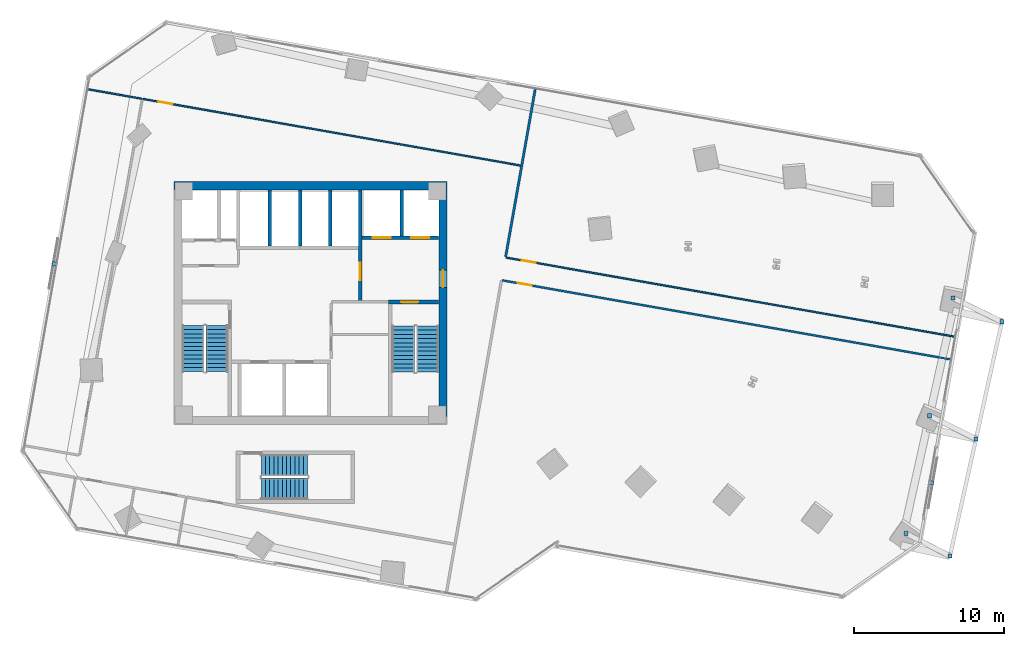
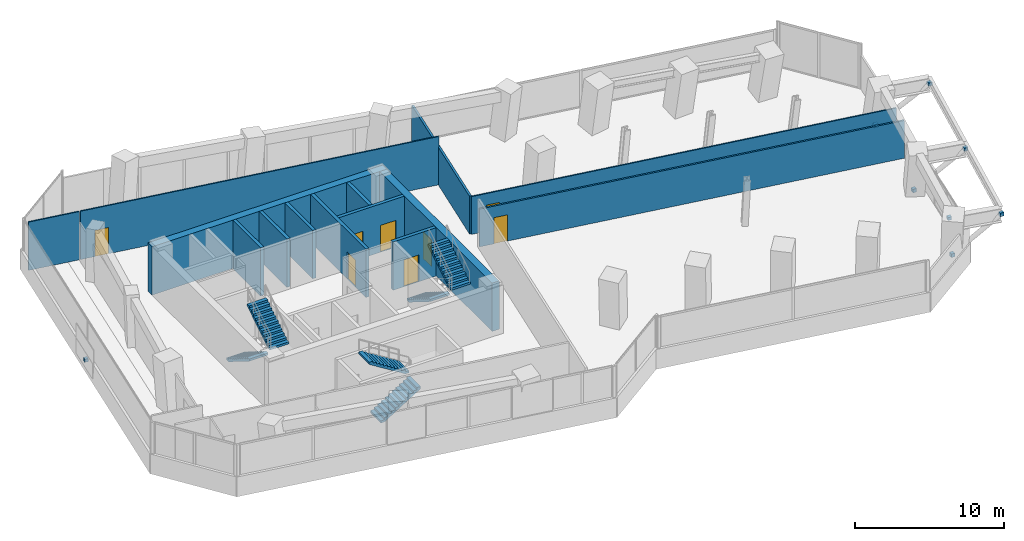
# One storey, part 21 of 24: 14 walls, 8 discrete accessories, 8 doors, 6 stair flights, 8 openings, 3 elements without a shape of their own.
"""IFC4 building model written with IfcOpenShell, lengths in metres."""

from ifc_helpers import new_model, si_unit, direction, frame, frame_2d, origin, origin_2d, place, context, subcontext, project, spatial, polyline, rectangle, outline, extrude, source, transform, mapped, material, layer, layer_set, type_object, element, fill, aggregate, save


model = new_model("IFC4")

# Units and contexts
model_context = context("Model", 3, precision=1e-05, world=origin(), true_north=direction((0.0, 1.0)))
body_context = subcontext(model_context, "Body", "Model", "MODEL_VIEW")
ifc_project = project(units=[si_unit("LENGTHUNIT", "METRE"), si_unit("AREAUNIT", "SQUARE_METRE"), si_unit("VOLUMEUNIT", "CUBIC_METRE"), si_unit("PLANEANGLEUNIT", "RADIAN"), si_unit("MASSUNIT", "GRAM", prefix="KILO")], contexts=[model_context])

# Site, building, storey
site_placement = place(None, origin())
site = spatial("IfcSite", under=ifc_project, at=site_placement, CompositionType="ELEMENT")
building_placement = place(site_placement, origin())
building = spatial("IfcBuilding", under=site, at=building_placement, Name="Torre Montelarca", CompositionType="ELEMENT")
storey_placement = place(building_placement, frame((0.0, 0.0, 83.199951171875)))
storey = spatial("IfcBuildingStorey", under=building, at=storey_placement, Name="L18", CompositionType="ELEMENT", Elevation=83.199951171875)

# Wall, opening, door
ifc_material_1 = material(Name="Concrete C40/50", Category="concrete")
ifc_layer_1 = layer(ifc_material_1, 0.25, Name="Concrete C40/50", Category="concrete")
ifc_layer_set_1 = layer_set([ifc_layer_1], Name="Concrete C40/50")
wall_type_1 = type_object("IfcWallType", Name="CW-SHAFT-250", PredefinedType="SHEAR", material=ifc_layer_set_1)
wall_1_placement = place(storey_placement, frame((23.18994140625, 32.074951171875, 0.0), z_axis=(0.0, 0.0, 1.0), x_axis=(1.0, 0.0, 0.0)))
wall_1 = element("IfcWall", 1, at=wall_1_placement, inside=storey, type_object=wall_type_1, Name="L18 Core Shear Wall SH-ST2-N", PredefinedType="SHEAR", context=body_context, shape_type="SweptSolid", body=[
    extrude(rectangle(XDim=3.35009765625, YDim=0.25, at=frame_2d((1.675048828125, 0.0))), origin(), (0.0, 0.0, 1.0), 3.9599609375),
])
opening_1_placement = place(wall_1_placement, frame((0.85009765625, 0.0, 0.0)))
opening_1 = element("IfcOpeningElement", 2, at=opening_1_placement, cuts=wall_1, Name="Opening FD-ST1", PredefinedType="OPENING", context=body_context, shape_type="SweptSolid", body=[
    extrude(rectangle(XDim=1.14990234375, YDim=2.199951171875, at=frame_2d((0.574951171875, 1.10009765625))), frame((0.0, 0.135009765625, 0.0), z_axis=(0.0, -1.0, 0.0), x_axis=(1.0, 0.0, 0.0)), (0.0, 0.0, 1.0), 0.27001953125),
])
ifc_material_2 = material(Name="Galvanized steel fire door", Category="steel")
door_type_1 = type_object("IfcDoorType", Name="DR-STAIR-115", OperationType="NOTDEFINED", PredefinedType="DOOR", material=ifc_material_2)
shared_shape_1 = source(origin(), body_context, "Body", "SweptSolid", [
    extrude(rectangle(XDim=1.14990234375, YDim=2.199951171875, at=frame_2d((0.574951171875, 1.10009765625))), frame((0.0, 0.02490234375, 0.0), z_axis=(0.0, -1.0, 0.0), x_axis=(1.0, 0.0, 0.0)), (0.0, 0.0, 1.0), 0.050048828125),
])
door_1_placement = place(opening_1_placement, origin())
door_1 = element("IfcDoor", 3, at=door_1_placement, inside=storey, type_object=door_type_1, Name="L18 Exit Stair ST2 Fire Door", OperationType="SINGLE_SWING_RIGHT", OverallHeight=2.199951171875, OverallWidth=1.14990234375, PredefinedType="DOOR", context=body_context, shape_type="MappedRepresentation", body=[
    mapped(shared_shape_1, transform((0.0, 0.0, 0.0), scale=1.0)),
])
fill(opening_1, door_1)

wall_2_placement = place(storey_placement, frame((21.320068359375, 32.1201171875, 0.0), z_axis=(0.0, 0.0, 1.0), x_axis=(0.0, 1.0, 0.0)))
wall_2 = element("IfcWall", 4, at=wall_2_placement, inside=storey, type_object=wall_type_1, Name="L18 Core Shear Wall SH-FFL-W", PredefinedType="SHEAR", context=body_context, shape_type="SweptSolid", body=[
    extrude(rectangle(XDim=7.419921875, YDim=0.25, at=frame_2d((3.7099609375, 0.0))), origin(), (0.0, 0.0, 1.0), 3.9599609375),
])
opening_2_placement = place(wall_2_placement, frame((1.39990234375, 0.0, 0.0)))
opening_2 = element("IfcOpeningElement", 5, at=opening_2_placement, cuts=wall_2, Name="Opening FD-LB1", PredefinedType="OPENING", context=body_context, shape_type="SweptSolid", body=[
    extrude(rectangle(XDim=1.14990234375, YDim=2.199951171875, at=frame_2d((0.574951171875, 1.10009765625))), frame((0.0, 0.135009765625, 0.0), z_axis=(0.0, -1.0, 0.0), x_axis=(1.0, 0.0, 0.0)), (0.0, 0.0, 1.0), 0.27001953125),
])
ifc_material_3 = material(Name="Acoustic timber-veneered fire door", Category="wood")
door_type_2 = type_object("IfcDoorType", Name="DR-LOBBY-115", OperationType="NOTDEFINED", PredefinedType="DOOR", material=ifc_material_3)
shared_shape_2 = source(origin(), body_context, "Body", "SweptSolid", [
    extrude(rectangle(XDim=1.14990234375, YDim=2.199951171875, at=frame_2d((0.574951171875, 1.10009765625))), frame((0.0, 0.02490234375, 0.0), z_axis=(0.0, -1.0, 0.0), x_axis=(1.0, 0.0, 0.0)), (0.0, 0.0, 1.0), 0.050048828125),
])
door_2_placement = place(opening_2_placement, origin())
door_2 = element("IfcDoor", 6, at=door_2_placement, inside=storey, type_object=door_type_2, Name="L18 Lift Lobby to Firefighting Lobby Smoke Door", OperationType="SINGLE_SWING_LEFT", OverallHeight=2.199951171875, OverallWidth=1.14990234375, PredefinedType="DOOR", context=body_context, shape_type="MappedRepresentation", body=[
    mapped(shared_shape_2, transform((0.0, 0.0, 0.0), scale=1.0)),
])
fill(opening_2, door_2)

# Wall, openings, doors
wall_3_placement = place(storey_placement, frame((21.449951171875, 36.35009765625, 0.0), z_axis=(0.0, 0.0, 1.0), x_axis=(1.0, 0.0, 0.0)))
wall_3 = element("IfcWall", 7, at=wall_3_placement, inside=storey, type_object=wall_type_1, Name="L18 Core Shear Wall SH-FF-S", PredefinedType="SHEAR", context=body_context, shape_type="SweptSolid", body=[
    extrude(rectangle(XDim=5.090087890625, YDim=0.25, at=frame_2d((2.544921875, 0.0))), origin(), (0.0, 0.0, 1.0), 3.9599609375),
])
opening_3_placement = place(wall_3_placement, frame((0.699951171875, 0.0, 0.0)))
opening_3 = element("IfcOpeningElement", 8, at=opening_3_placement, cuts=wall_3, Name="Opening LD-120", PredefinedType="OPENING", context=body_context, shape_type="SweptSolid", body=[
    extrude(rectangle(XDim=1.199951171875, YDim=2.199951171875, at=frame_2d((0.60009765625, 1.10009765625))), frame((0.0, 0.135009765625, 0.0), z_axis=(0.0, -1.0, 0.0), x_axis=(1.0, 0.0, 0.0)), (0.0, 0.0, 1.0), 0.27001953125),
])
opening_4_placement = place(wall_3_placement, frame((3.25, 0.0, 0.0)))
opening_4 = element("IfcOpeningElement", 9, at=opening_4_placement, cuts=wall_3, Name="Opening LD-120", PredefinedType="OPENING", context=body_context, shape_type="SweptSolid", body=[
    extrude(rectangle(XDim=1.199951171875, YDim=2.199951171875, at=frame_2d((0.60009765625, 1.10009765625))), frame((0.0, 0.135009765625, 0.0), z_axis=(0.0, -1.0, 0.0), x_axis=(1.0, 0.0, 0.0)), (0.0, 0.0, 1.0), 0.27001953125),
])
ifc_material_4 = material(Name="Brushed stainless steel AISI 316", Category="steel")
door_type_3 = type_object("IfcDoorType", Name="DR-LIFT-120", OperationType="SLIDING_TO_RIGHT", PredefinedType="DOOR", material=ifc_material_4)
shared_shape_3 = source(origin(), body_context, "Body", "SweptSolid", [
    extrude(rectangle(XDim=1.199951171875, YDim=2.199951171875, at=frame_2d((0.60009765625, 1.10009765625))), frame((0.0, 0.02490234375, 0.0), z_axis=(0.0, -1.0, 0.0), x_axis=(1.0, 0.0, 0.0)), (0.0, 0.0, 1.0), 0.050048828125),
])
door_3_placement = place(opening_3_placement, origin())
door_3 = element("IfcDoor", 10, at=door_3_placement, inside=storey, type_object=door_type_3, Name="L18 Lift Landing Sliding Door FF-1", OperationType="SLIDING_TO_LEFT", OverallHeight=2.199951171875, OverallWidth=1.199951171875, PredefinedType="DOOR", context=body_context, shape_type="MappedRepresentation", body=[
    mapped(shared_shape_3, transform((0.0, 0.0, 0.0), scale=1.0)),
])
fill(opening_3, door_3)
door_4_placement = place(opening_4_placement, origin())
door_4 = element("IfcDoor", 11, at=door_4_placement, inside=storey, type_object=door_type_3, Name="L18 Lift Landing Sliding Door FF-2", OperationType="SLIDING_TO_RIGHT", OverallHeight=2.199951171875, OverallWidth=1.199951171875, PredefinedType="DOOR", context=body_context, shape_type="MappedRepresentation", body=[
    mapped(shared_shape_3, transform((0.0, 0.0, 0.0), scale=1.0)),
])
fill(opening_4, door_4)

# Walls
wall_4_placement = place(storey_placement, frame((24.080078125, 36.47998046875, 0.0), z_axis=(0.0, 0.0, 1.0), x_axis=(0.0, 1.0, 0.0)))
element("IfcWall", 12, at=wall_4_placement, inside=storey, type_object=wall_type_1, Name="L18 Core Shear Wall SH-FF-M", PredefinedType="SHEAR", context=body_context, shape_type="SweptSolid", body=[
    extrude(rectangle(XDim=3.06005859375, YDim=0.25, at=frame_2d((1.530029296875, 0.0))), origin(), (0.0, 0.0, 1.0), 3.9599609375),
])
for number, where, z_axis, x_axis, name in (
    (13, (15.280029296875, 35.81005859375, 0.0), (0.0, 0.0, 1.0), (0.0, 1.0, 0.0), "L18 Core Shear Wall SH-PLM-M"),
    (14, (17.320068359375, 35.81005859375, 0.0), (0.0, 0.0, 1.0), (0.0, 1.0, 0.0), "L18 Core Shear Wall SH-PLH-W"),
    (15, (19.320068359375, 35.81005859375, 0.0), (0.0, 0.0, 1.0), (0.0, 1.0, 0.0), "L18 Core Shear Wall SH-PLH-M"),
):
    element("IfcWall", number, at=place(storey_placement, frame(where, z_axis=z_axis, x_axis=x_axis)), inside=storey, type_object=wall_type_1, Name=name, PredefinedType="SHEAR", context=body_context, shape_type="SweptSolid", body=[
        extrude(rectangle(XDim=3.72998046875, YDim=0.25, at=frame_2d((1.864990234375, 0.0))), origin(), (0.0, 0.0, 1.0), 3.9599609375),
    ])

# Wall, opening, door
ifc_material_5 = material(Name="Concrete C70/85", Category="concrete")
ifc_layer_2 = layer(ifc_material_5, 0.550048828125, Name="Concrete C70/85", Category="concrete")
ifc_layer_set_2 = layer_set([ifc_layer_2], Name="Concrete C70/85")
wall_type_2 = type_object("IfcWallType", Name="CW-SHEAR-550", PredefinedType="SHEAR", material=ifc_layer_set_2)
wall_5_placement = place(storey_placement, frame((26.824951171875, 24.449951171875, 0.0), z_axis=(0.0, 0.0, 1.0), x_axis=(0.0, 1.0, 0.0)))
wall_5 = element("IfcWall", 16, at=wall_5_placement, inside=storey, type_object=wall_type_2, Name="L18 Core Shear Wall CW-E", PredefinedType="SHEAR", context=body_context, shape_type="SweptSolid", body=[
    extrude(rectangle(XDim=15.10009765625, YDim=0.550048828125, at=frame_2d((7.550048828125, 0.0))), origin(), (0.0, 0.0, 1.0), 3.9599609375),
])
opening_5_placement = place(wall_5_placement, frame((8.60009765625, 0.0, 0.0)))
opening_5 = element("IfcOpeningElement", 17, at=opening_5_placement, cuts=wall_5, Name="Opening FD-LB1", PredefinedType="OPENING", context=body_context, shape_type="SweptSolid", body=[
    extrude(rectangle(XDim=1.14990234375, YDim=2.199951171875, at=frame_2d((0.574951171875, 1.10009765625))), frame((0.0, 0.28515625, 0.0), z_axis=(0.0, -1.0, 0.0), x_axis=(1.0, 0.0, 0.0)), (0.0, 0.0, 1.0), 0.570068359375),
])
door_5_placement = place(opening_5_placement, origin())
door_5 = element("IfcDoor", 18, at=door_5_placement, inside=storey, type_object=door_type_2, Name="L18 Firefighting Lift Lobby Corridor Fire Door", OperationType="SINGLE_SWING_RIGHT", OverallHeight=2.199951171875, OverallWidth=1.14990234375, PredefinedType="DOOR", context=body_context, shape_type="MappedRepresentation", body=[
    mapped(shared_shape_2, transform((0.0, 0.0, 0.0), scale=1.0)),
])
fill(opening_5, door_5)

# Walls
wall_6_placement = place(storey_placement, frame((8.89990234375, 39.824951171875, 0.0), z_axis=(0.0, 0.0, 1.0), x_axis=(1.0, 0.0, 0.0)))
element("IfcWall", 19, at=wall_6_placement, inside=storey, type_object=wall_type_2, Name="L18 Core Shear Wall CW-N1", PredefinedType="SHEAR", context=body_context, shape_type="SweptSolid", body=[
    extrude(rectangle(XDim=18.2001953125, YDim=0.550048828125, at=frame_2d((9.10009765625, 0.0))), origin(), (0.0, 0.0, 1.0), 3.9599609375),
])
ifc_material_6 = material(Name="Gypsum plasterboard on steel stud", Category="steel")
ifc_layer_3 = layer(ifc_material_6, 0.159912109375, Name="Gypsum plasterboard on steel stud", Category="steel")
ifc_layer_set_3 = layer_set([ifc_layer_3], Name="Gypsum plasterboard on steel stud")
wall_type_3 = type_object("IfcWallType", Name="PW-FIRE-160", PredefinedType="PARTITIONING", material=ifc_layer_set_3)
wall_7_placement = place(storey_placement, frame((31.008544921875, 35.07568359375, 0.0), z_axis=(0.0, 0.0, 1.0), x_axis=(0.173653918008, 0.984806740818, 0.0)))
element("IfcWall", 20, at=wall_7_placement, inside=storey, type_object=wall_type_3, Name="L18 Interior Partition W-L18-ECN", PredefinedType="PARTITIONING", context=body_context, shape_type="SweptSolid", body=[
    extrude(rectangle(XDim=11.340087890625, YDim=0.159912109375, at=frame_2d((5.669921875, 0.0))), origin(), (0.0, 0.0, 1.0), 3.094970703125),
])

# Wall, opening, door
ifc_material_7 = material(Name="Acoustic laminated glass partition", Category="glass")
ifc_layer_4 = layer(ifc_material_7, 0.10009765625, Name="Acoustic laminated glass partition", Category="glass")
ifc_layer_set_4 = layer_set([ifc_layer_4], Name="Acoustic laminated glass partition")
wall_type_4 = type_object("IfcWallType", Name="PW-GLAZ-100", PredefinedType="PARTITIONING", material=ifc_layer_set_4)
wall_8_placement = place(storey_placement, frame((6.82958984375, 45.604248046875, 0.0), z_axis=(0.0, 0.0, 1.0), x_axis=(0.984806496121, -0.173655305701, 0.0)))
wall_8 = element("IfcWall", 21, at=wall_8_placement, inside=storey, type_object=wall_type_4, Name="L18 Interior Partition W-L18-NBOT", PredefinedType="PARTITIONING", context=body_context, shape_type="SweptSolid", body=[
    extrude(rectangle(XDim=25.599853515625, YDim=0.10009765625, at=frame_2d((12.7998046875, 0.0))), origin(), (0.0, 0.0, 1.0), 3.9599609375),
])
opening_6_placement = place(wall_8_placement, frame((1.050048828125, 0.0, 0.0)))
opening_6 = element("IfcOpeningElement", 22, at=opening_6_placement, cuts=wall_8, Name="Opening ID-095", PredefinedType="OPENING", context=body_context, shape_type="SweptSolid", body=[
    extrude(rectangle(XDim=0.949951171875, YDim=2.14990234375, at=frame_2d((0.47509765625, 1.074951171875))), frame((0.0, 0.06005859375, 0.0), z_axis=(0.0, -1.0, 0.0), x_axis=(1.0, 0.0, 0.0)), (0.0, 0.0, 1.0), 0.1201171875),
])
ifc_material_8 = material(Name="Hardwood acoustic timber veneer", Category="wood")
door_type_4 = type_object("IfcDoorType", Name="DR-INT-095", OperationType="NOTDEFINED", PredefinedType="DOOR", material=ifc_material_8)
shared_shape_4 = source(origin(), body_context, "Body", "SweptSolid", [
    extrude(rectangle(XDim=0.949951171875, YDim=2.14990234375, at=frame_2d((0.47509765625, 1.074951171875))), frame((0.0, 0.02490234375, 0.0), z_axis=(0.0, -1.0, 0.0), x_axis=(1.0, 0.0, 0.0)), (0.0, 0.0, 1.0), 0.050048828125),
])
door_6_placement = place(opening_6_placement, origin())
door_6 = element("IfcDoor", 23, at=door_6_placement, inside=storey, type_object=door_type_4, Name="L18 Interior Door 07", OperationType="SINGLE_SWING_LEFT", OverallHeight=2.14990234375, OverallWidth=0.949951171875, PredefinedType="DOOR", context=body_context, shape_type="MappedRepresentation", body=[
    mapped(shared_shape_4, transform((0.0, 0.0, 0.0), scale=1.0)),
])
fill(opening_6, door_6)

# Wall
wall_9_placement = place(storey_placement, frame((3.17578125, 46.24853515625, 0.0), z_axis=(0.0, 0.0, 1.0), x_axis=(0.984795743306, -0.173716274326, 0.0)))
element("IfcWall", 24, at=wall_9_placement, inside=storey, type_object=wall_type_4, Name="L18 Interior Partition W-L18-WWGN", PredefinedType="PARTITIONING", context=body_context, shape_type="SweptSolid", body=[
    extrude(rectangle(XDim=3.630126953125, YDim=0.10009765625, at=frame_2d((1.81494140625, 0.0))), origin(), (0.0, 0.0, 1.0), 3.9599609375),
])

# Wall, opening, door
wall_10_placement = place(storey_placement, frame((31.041015625, 35.029296875, 0.0), z_axis=(0.0, 0.0, 1.0), x_axis=(0.984807519997, -0.173649499156, 0.0)))
wall_10 = element("IfcWall", 25, at=wall_10_placement, inside=storey, type_object=wall_type_4, Name="L18 Interior Partition W-L18-NE-S", PredefinedType="PARTITIONING", context=body_context, shape_type="SweptSolid", body=[
    extrude(rectangle(XDim=30.35009765625, YDim=0.10009765625, at=frame_2d((15.175048828125, 0.0))), origin(), (0.0, 0.0, 1.0), 3.094970703125),
])
opening_7_placement = place(wall_10_placement, frame((1.050048828125, 0.0, 0.0)))
opening_7 = element("IfcOpeningElement", 26, at=opening_7_placement, cuts=wall_10, Name="Opening ID-095", PredefinedType="OPENING", context=body_context, shape_type="SweptSolid", body=[
    extrude(rectangle(XDim=0.949951171875, YDim=2.14990234375, at=frame_2d((0.47509765625, 1.074951171875))), frame((0.0, 0.06005859375, 0.0), z_axis=(0.0, -1.0, 0.0), x_axis=(1.0, 0.0, 0.0)), (0.0, 0.0, 1.0), 0.1201171875),
])
door_7_placement = place(opening_7_placement, origin())
door_7 = element("IfcDoor", 27, at=door_7_placement, inside=storey, type_object=door_type_4, Name="L18 Interior Door 09", OperationType="SINGLE_SWING_LEFT", OverallHeight=2.14990234375, OverallWidth=0.949951171875, PredefinedType="DOOR", context=body_context, shape_type="MappedRepresentation", body=[
    mapped(shared_shape_4, transform((0.0, 0.0, 0.0), scale=1.0)),
])
fill(opening_7, door_7)

ifc_layer_5 = layer(ifc_material_6, 0.135009765625, Name="Gypsum plasterboard on steel stud", Category="steel")
ifc_layer_set_5 = layer_set([ifc_layer_5], Name="Gypsum plasterboard on steel stud")
wall_type_5 = type_object("IfcWallType", Name="PW-PART-135", PredefinedType="PARTITIONING", material=ifc_layer_set_5)
wall_11_placement = place(storey_placement, frame((30.773681640625, 33.5126953125, 0.0), z_axis=(0.0, 0.0, 1.0), x_axis=(0.984807519997, -0.173649499156, 0.0)))
wall_11 = element("IfcWall", 28, at=wall_11_placement, inside=storey, type_object=wall_type_5, Name="L18 Interior Partition W-L18-SE-N", PredefinedType="PARTITIONING", context=body_context, shape_type="SweptSolid", body=[
    extrude(rectangle(XDim=30.35009765625, YDim=0.135009765625, at=frame_2d((15.175048828125, 0.0))), origin(), (0.0, 0.0, 1.0), 3.094970703125),
])
opening_8_placement = place(wall_11_placement, frame((1.050048828125, 0.0, 0.0)))
opening_8 = element("IfcOpeningElement", 29, at=opening_8_placement, cuts=wall_11, Name="Opening ID-095", PredefinedType="OPENING", context=body_context, shape_type="SweptSolid", body=[
    extrude(rectangle(XDim=0.949951171875, YDim=2.14990234375, at=frame_2d((0.47509765625, 1.074951171875))), frame((0.0, 0.07763671875, 0.0), z_axis=(0.0, -1.0, 0.0), x_axis=(1.0, 0.0, 0.0)), (0.0, 0.0, 1.0), 0.155029296875),
])
door_8_placement = place(opening_8_placement, origin())
door_8 = element("IfcDoor", 30, at=door_8_placement, inside=storey, type_object=door_type_4, Name="L18 Interior Door 10", OperationType="SINGLE_SWING_LEFT", OverallHeight=2.14990234375, OverallWidth=0.949951171875, PredefinedType="DOOR", context=body_context, shape_type="MappedRepresentation", body=[
    mapped(shared_shape_4, transform((0.0, 0.0, 0.0), scale=1.0)),
])
fill(opening_8, door_8)

# Stair, stair flights
stair_type_1 = type_object("IfcStairType", Name="ST-CORE-ST1", PredefinedType="HALF_TURN_STAIR", material=ifc_material_1)
stair_1_placement = place(storey_placement, origin())
stair_1 = element("IfcStair", 31, at=stair_1_placement, inside=storey, type_object=stair_type_1, Name="L18 Protected Exit Stair ST1", PredefinedType="HALF_TURN_STAIR")
stair_flight_type_1 = type_object("IfcStairFlightType", Name="SFL-CORE-ST1", PredefinedType="STRAIGHT", material=ifc_material_1)
stair_flight_1_placement = place(storey_placement, frame((10.175048828125, 30.5, 0.0), z_axis=(0.0, 0.0, 1.0), x_axis=(0.0, -1.0, 0.0)))
stair_flight_1 = element("IfcStairFlight", 32, at=stair_flight_1_placement, type_object=stair_flight_type_1, Name="ST1 flight 1", NumberOfRisers=12, NumberOfTreads=11, PredefinedType="STRAIGHT", RiserHeight=0.175, TreadLength=0.28, context=body_context, shape_type="SweptSolid", body=[
    extrude(outline(polyline([(0.0, 0.0), (0.0, 0.175048828125), (0.280029296875, 0.175048828125), (0.280029296875, 0.35009765625), (0.56005859375, 0.35009765625), (0.56005859375, 0.52490234375), (0.840087890625, 0.52490234375), (0.840087890625, 0.699951171875), (1.1201171875, 0.699951171875), (1.1201171875, 0.875), (1.39990234375, 0.875), (1.39990234375, 1.050048828125), (1.679931640625, 1.050048828125), (1.679931640625, 1.22509765625), (1.9599609375, 1.22509765625), (1.9599609375, 1.39990234375), (2.239990234375, 1.39990234375), (2.239990234375, 1.574951171875), (2.52001953125, 1.574951171875), (2.52001953125, 1.75), (2.800048828125, 1.75), (2.800048828125, 1.925048828125), (3.080078125, 1.925048828125), (3.080078125, 2.10009765625), (3.080078125, 1.748291015625), (0.28271484375, 0.0), (0.0, 0.0)])), frame((0.0, 0.72509765625, 0.0), z_axis=(0.0, -1.0, 0.0), x_axis=(1.0, 0.0, 0.0)), (0.0, 0.0, 1.0), 1.449951171875),
])
stair_flight_2_placement = place(storey_placement, frame((11.77490234375, 27.419921875, 2.10009765625), z_axis=(0.0, 0.0, 1.0), x_axis=(0.0, 1.0, 0.0)))
stair_flight_2 = element("IfcStairFlight", 33, at=stair_flight_2_placement, type_object=stair_flight_type_1, Name="ST1 flight 2", NumberOfRisers=12, NumberOfTreads=11, PredefinedType="STRAIGHT", RiserHeight=0.175, TreadLength=0.28, context=body_context, shape_type="SweptSolid", body=[
    extrude(outline(polyline([(0.0, 0.0), (0.0, 0.175048828125), (0.280029296875, 0.175048828125), (0.280029296875, 0.35009765625), (0.56005859375, 0.35009765625), (0.56005859375, 0.52490234375), (0.840087890625, 0.52490234375), (0.840087890625, 0.699951171875), (1.1201171875, 0.699951171875), (1.1201171875, 0.875), (1.39990234375, 0.875), (1.39990234375, 1.050048828125), (1.679931640625, 1.050048828125), (1.679931640625, 1.22509765625), (1.9599609375, 1.22509765625), (1.9599609375, 1.39990234375), (2.239990234375, 1.39990234375), (2.239990234375, 1.574951171875), (2.52001953125, 1.574951171875), (2.52001953125, 1.75), (2.800048828125, 1.75), (2.800048828125, 1.925048828125), (3.080078125, 1.925048828125), (3.080078125, 2.10009765625), (3.080078125, 1.748291015625), (0.28271484375, 0.0), (0.0, 0.0)])), frame((0.0, 0.72509765625, 0.0), z_axis=(0.0, -1.0, 0.0), x_axis=(1.0, 0.0, 0.0)), (0.0, 0.0, 1.0), 1.449951171875),
])
aggregate(stair_1, [stair_flight_1, stair_flight_2])

stair_type_2 = type_object("IfcStairType", Name="ST-CORE-ST2", PredefinedType="HALF_TURN_STAIR", material=ifc_material_1)
stair_2_placement = place(storey_placement, origin())
stair_2 = element("IfcStair", 34, at=stair_2_placement, inside=storey, type_object=stair_type_2, Name="L18 Protected Exit Stair ST2", PredefinedType="HALF_TURN_STAIR")
stair_flight_type_2 = type_object("IfcStairFlightType", Name="SFL-CORE-ST2", PredefinedType="STRAIGHT", material=ifc_material_1)
stair_flight_3_placement = place(storey_placement, frame((24.179931640625, 30.469970703125, 0.0), z_axis=(0.0, 0.0, 1.0), x_axis=(0.0, -1.0, 0.0)))
stair_flight_3 = element("IfcStairFlight", 35, at=stair_flight_3_placement, type_object=stair_flight_type_2, Name="ST2 flight 1", NumberOfRisers=12, NumberOfTreads=11, PredefinedType="STRAIGHT", RiserHeight=0.175, TreadLength=0.28, context=body_context, shape_type="SweptSolid", body=[
    extrude(outline(polyline([(0.0, 0.0), (0.0, 0.175048828125), (0.280029296875, 0.175048828125), (0.280029296875, 0.35009765625), (0.56005859375, 0.35009765625), (0.56005859375, 0.52490234375), (0.840087890625, 0.52490234375), (0.840087890625, 0.699951171875), (1.1201171875, 0.699951171875), (1.1201171875, 0.875), (1.39990234375, 0.875), (1.39990234375, 1.050048828125), (1.679931640625, 1.050048828125), (1.679931640625, 1.22509765625), (1.9599609375, 1.22509765625), (1.9599609375, 1.39990234375), (2.239990234375, 1.39990234375), (2.239990234375, 1.574951171875), (2.52001953125, 1.574951171875), (2.52001953125, 1.75), (2.800048828125, 1.75), (2.800048828125, 1.925048828125), (3.080078125, 1.925048828125), (3.080078125, 2.10009765625), (3.080078125, 1.748291015625), (0.28271484375, 0.0), (0.0, 0.0)])), frame((0.0, 0.739990234375, 0.0), z_axis=(0.0, -1.0, 0.0), x_axis=(1.0, 0.0, 0.0)), (0.0, 0.0, 1.0), 1.47998046875),
])
stair_flight_4_placement = place(storey_placement, frame((25.81005859375, 27.389892578125, 2.10009765625), z_axis=(0.0, 0.0, 1.0), x_axis=(0.0, 1.0, 0.0)))
stair_flight_4 = element("IfcStairFlight", 36, at=stair_flight_4_placement, type_object=stair_flight_type_2, Name="ST2 flight 2", NumberOfRisers=12, NumberOfTreads=11, PredefinedType="STRAIGHT", RiserHeight=0.175, TreadLength=0.28, context=body_context, shape_type="SweptSolid", body=[
    extrude(outline(polyline([(0.0, 0.0), (0.0, 0.175048828125), (0.280029296875, 0.175048828125), (0.280029296875, 0.35009765625), (0.56005859375, 0.35009765625), (0.56005859375, 0.52490234375), (0.840087890625, 0.52490234375), (0.840087890625, 0.699951171875), (1.1201171875, 0.699951171875), (1.1201171875, 0.875), (1.39990234375, 0.875), (1.39990234375, 1.050048828125), (1.679931640625, 1.050048828125), (1.679931640625, 1.22509765625), (1.9599609375, 1.22509765625), (1.9599609375, 1.39990234375), (2.239990234375, 1.39990234375), (2.239990234375, 1.574951171875), (2.52001953125, 1.574951171875), (2.52001953125, 1.75), (2.800048828125, 1.75), (2.800048828125, 1.925048828125), (3.080078125, 1.925048828125), (3.080078125, 2.10009765625), (3.080078125, 1.748291015625), (0.28271484375, 0.0), (0.0, 0.0)])), frame((0.0, 0.739990234375, 0.0), z_axis=(0.0, -1.0, 0.0), x_axis=(1.0, 0.0, 0.0)), (0.0, 0.0, 1.0), 1.47998046875),
])
aggregate(stair_2, [stair_flight_3, stair_flight_4])

stair_type_3 = type_object("IfcStairType", Name="ST-CORE-ST3", PredefinedType="HALF_TURN_STAIR", material=ifc_material_1)
stair_3_placement = place(storey_placement, origin())
stair_3 = element("IfcStair", 37, at=stair_3_placement, inside=storey, type_object=stair_type_3, Name="L18 Low-Rise Exit Stair ST3", PredefinedType="HALF_TURN_STAIR")
stair_flight_type_3 = type_object("IfcStairFlightType", Name="SFL-CORE-ST3", PredefinedType="STRAIGHT", material=ifc_material_1)
stair_flight_5_placement = place(storey_placement, frame((14.719970703125, 19.610107421875, 0.0), z_axis=(0.0, 0.0, 1.0), x_axis=(1.0, 0.0, 0.0)))
stair_flight_5 = element("IfcStairFlight", 38, at=stair_flight_5_placement, type_object=stair_flight_type_3, Name="ST3 flight 1", NumberOfRisers=12, NumberOfTreads=11, PredefinedType="STRAIGHT", RiserHeight=0.175, TreadLength=0.28, context=body_context, shape_type="SweptSolid", body=[
    extrude(outline(polyline([(0.0, 0.0), (0.0, 0.175048828125), (0.280029296875, 0.175048828125), (0.280029296875, 0.35009765625), (0.56005859375, 0.35009765625), (0.56005859375, 0.52490234375), (0.840087890625, 0.52490234375), (0.840087890625, 0.699951171875), (1.1201171875, 0.699951171875), (1.1201171875, 0.875), (1.39990234375, 0.875), (1.39990234375, 1.050048828125), (1.679931640625, 1.050048828125), (1.679931640625, 1.22509765625), (1.9599609375, 1.22509765625), (1.9599609375, 1.39990234375), (2.239990234375, 1.39990234375), (2.239990234375, 1.574951171875), (2.52001953125, 1.574951171875), (2.52001953125, 1.75), (2.800048828125, 1.75), (2.800048828125, 1.925048828125), (3.080078125, 1.925048828125), (3.080078125, 2.10009765625), (3.080078125, 1.748291015625), (0.28271484375, 0.0), (0.0, 0.0)])), frame((0.0, 0.7099609375, 0.0), z_axis=(0.0, -1.0, 0.0), x_axis=(1.0, 0.0, 0.0)), (0.0, 0.0, 1.0), 1.419921875),
])
stair_flight_6_placement = place(storey_placement, frame((17.800048828125, 21.179931640625, 2.10009765625), z_axis=(0.0, 0.0, 1.0), x_axis=(-1.0, 0.0, 0.0)))
stair_flight_6 = element("IfcStairFlight", 39, at=stair_flight_6_placement, type_object=stair_flight_type_3, Name="ST3 flight 2", NumberOfRisers=12, NumberOfTreads=11, PredefinedType="STRAIGHT", RiserHeight=0.175, TreadLength=0.28, context=body_context, shape_type="SweptSolid", body=[
    extrude(outline(polyline([(0.0, 0.0), (0.0, 0.175048828125), (0.280029296875, 0.175048828125), (0.280029296875, 0.35009765625), (0.56005859375, 0.35009765625), (0.56005859375, 0.52490234375), (0.840087890625, 0.52490234375), (0.840087890625, 0.699951171875), (1.1201171875, 0.699951171875), (1.1201171875, 0.875), (1.39990234375, 0.875), (1.39990234375, 1.050048828125), (1.679931640625, 1.050048828125), (1.679931640625, 1.22509765625), (1.9599609375, 1.22509765625), (1.9599609375, 1.39990234375), (2.239990234375, 1.39990234375), (2.239990234375, 1.574951171875), (2.52001953125, 1.574951171875), (2.52001953125, 1.75), (2.800048828125, 1.75), (2.800048828125, 1.925048828125), (3.080078125, 1.925048828125), (3.080078125, 2.10009765625), (3.080078125, 1.748291015625), (0.28271484375, 0.0), (0.0, 0.0)])), frame((0.0, 0.7099609375, 0.0), z_axis=(0.0, -1.0, 0.0), x_axis=(1.0, 0.0, 0.0)), (0.0, 0.0, 1.0), 1.419921875),
])
aggregate(stair_3, [stair_flight_5, stair_flight_6])

# Discrete accessories
ifc_material_9 = material(Name="Stainless steel AISI 316", Category="steel")
discrete_accessory_type = type_object("IfcDiscreteAccessoryType", Name="ACC-BRACKET-SS", PredefinedType="BRACKET", material=ifc_material_9)
shared_shape_5 = source(origin(), body_context, "Body", "SweptSolid", [
    extrude(rectangle(XDim=0.280029296875, YDim=0.280029296875, at=origin_2d()), origin(), (0.0, 0.0, 1.0), 0.280029296875),
])
for number, where, z_axis, x_axis, name in (
    (40, (57.699462890625, 16.642578125, 0.01025390625), (0.0, 0.0, 1.0), (1.0, 0.0, 0.0), "L19 Raker End Connection Bracket E1-FT"),
    (41, (60.62646484375, 15.131591796875, 3.2451171875), (0.0, 0.0, 1.0), (1.0, 0.0, 0.0), "L19 Raker End Connection Bracket E1-HD"),
    (42, (59.26025390625, 24.489013671875, 0.01025390625), (0.0, 0.0, 1.0), (1.0, 0.0, 0.0), "L19 Raker End Connection Bracket E2-FT"),
    (43, (62.35791015625, 22.94189453125, 3.2451171875), (0.0, 0.0, 1.0), (1.0, 0.0, 0.0), "L19 Raker End Connection Bracket E2-HD"),
    (44, (60.821044921875, 32.335205078125, 0.01025390625), (0.0, 0.0, 1.0), (1.0, 0.0, 0.0), "L19 Raker End Connection Bracket E3-FT"),
    (45, (64.089599609375, 30.75244140625, 3.2451171875), (0.0, 0.0, 1.0), (1.0, 0.0, 0.0), "L19 Raker End Connection Bracket E3-HD"),
):
    element("IfcDiscreteAccessory", number, at=place(storey_placement, frame(where, z_axis=z_axis, x_axis=x_axis)), inside=storey, type_object=discrete_accessory_type, Name=name, PredefinedType="BRACKET", context=body_context, shape_type="MappedRepresentation", body=[
        mapped(shared_shape_5, transform((0.0, 0.0, 0.0), scale=1.0)),
    ])
shared_shape_6 = source(origin(), body_context, "Body", "SweptSolid", [
    extrude(rectangle(XDim=0.280029296875, YDim=0.260009765625, at=origin_2d()), origin(), (0.0, 0.0, 1.0), 0.239990234375),
])
for number, where, z_axis, x_axis, name in (
    (46, (59.41455078125, 20.012939453125, 0.39990234375), (0.0, 0.0, 1.0), (0.173648177667, 0.984807753012, 0.0), "L18 Solar Screen Support Bracket E6-1"),
    (47, (0.921142578125, 34.61328125, 0.39990234375), (0.0, 0.0, 1.0), (-0.17364989648, -0.984807449937, 0.0), "L18 Solar Screen Support Bracket E10-1"),
):
    element("IfcDiscreteAccessory", number, at=place(storey_placement, frame(where, z_axis=z_axis, x_axis=x_axis)), inside=storey, type_object=discrete_accessory_type, Name=name, PredefinedType="BRACKET", context=body_context, shape_type="MappedRepresentation", body=[
        mapped(shared_shape_6, transform((0.0, 0.0, 0.0), scale=1.0)),
    ])

save(model, "model.ifc")
